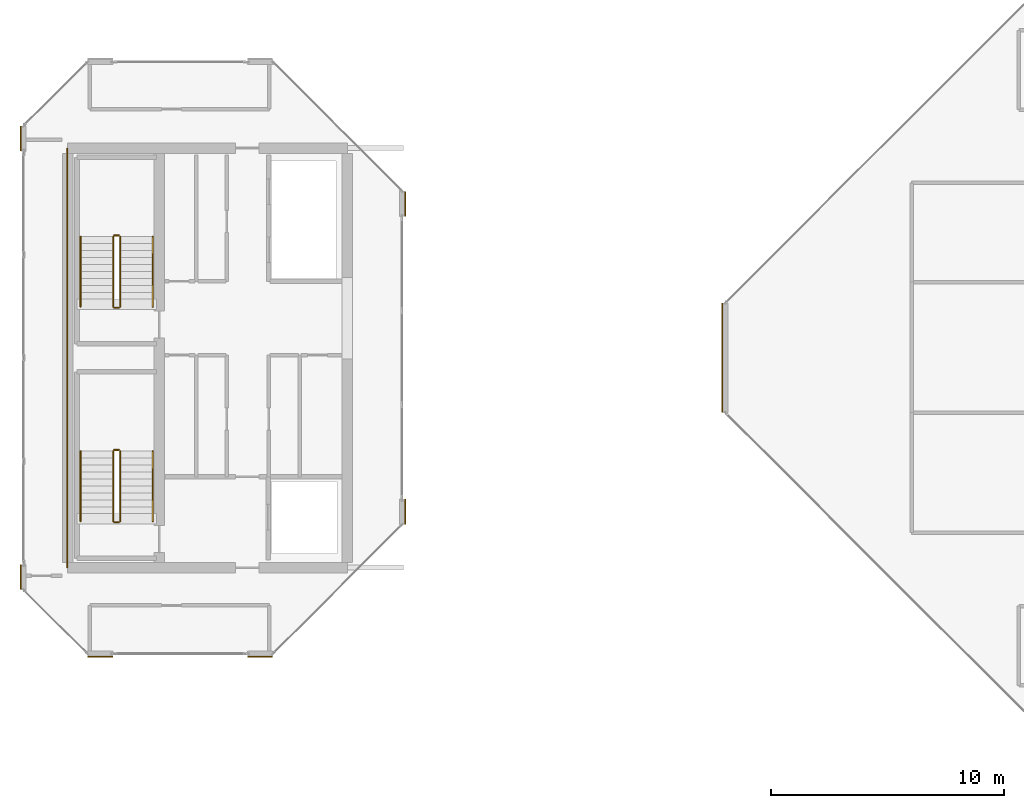
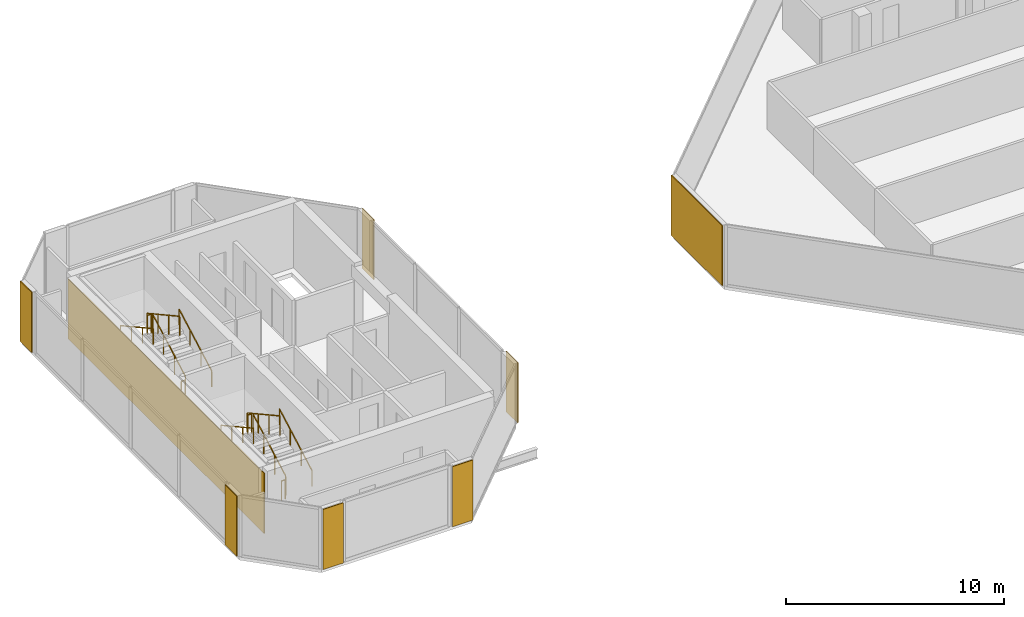
# One storey, part 28 of 30: 12 railings, 8 coverings.
"""IFC4 building model written with IfcOpenShell, lengths in metres."""

from ifc_helpers import new_model, si_unit, direction, frame, origin, origin_2d, place, context, subcontext, project, spatial, rectangle, extrude, material, layer, layer_set, type_object, element, save


model = new_model("IFC4")

# Units and contexts
model_context = context("Model", 3, precision=1e-05, world=origin(), true_north=direction((0.0, 1.0)))
body_context = subcontext(model_context, "Body", "Model", "MODEL_VIEW")
ifc_project = project(units=[si_unit("LENGTHUNIT", "METRE"), si_unit("AREAUNIT", "SQUARE_METRE"), si_unit("VOLUMEUNIT", "CUBIC_METRE"), si_unit("PLANEANGLEUNIT", "RADIAN"), si_unit("MASSUNIT", "GRAM", prefix="KILO")], contexts=[model_context])

# Site, building, storey
site_placement = place(None, origin())
site = spatial("IfcSite", under=ifc_project, at=site_placement, CompositionType="ELEMENT")
building_placement = place(site_placement, origin())
building = spatial("IfcBuilding", under=site, at=building_placement, Name="Tanjung Sevakor Pilgrim Tower", CompositionType="ELEMENT")
storey_placement = place(building_placement, frame((0.0, 0.0, 253.43994140625)))
storey = spatial("IfcBuildingStorey", under=building, at=storey_placement, Name="L71", CompositionType="ELEMENT", Elevation=253.43994140625)

# Coverings
ifc_material_1 = material(Name="Reconstructed Limestone Cladding", Category="masonry")
ifc_layer = layer(ifc_material_1, 0.044921875)
ifc_layer_set = layer_set([ifc_layer], Name="COV-CLAD-LIMESTONE")
covering_type = type_object("IfcCoveringType", Name="COV-CLAD-LIMESTONE", PredefinedType="CLADDING", material=ifc_layer_set)
for number, where, z_axis, x_axis, name in (
    (1, (25.3955078125, 20.777587890625, 0.02001953125), (0.0, 0.0, 1.0), (1.0, 0.0, 0.0), "L71 Warm Limestone Wall Cladding EW-CRN1-L71-WEST-0-1"),
    (2, (32.25439453125, 20.777587890625, 0.02001953125), (0.0, 0.0, 1.0), (1.0, 0.0, 0.0), "L71 Warm Limestone Wall Cladding EW-CRN2-L71-WEST-0-1"),
    (3, (38.472412109375, 26.99560546875, 0.02001953125), (0.0, 0.0, 1.0), (0.0, 1.0, 0.0), "L71 Warm Limestone Wall Cladding EW-CRN1-L71-WEST-2-1"),
    (4, (38.472412109375, 40.204345703125, 0.02001953125), (0.0, 0.0, 1.0), (0.0, 1.0, 0.0), "L71 Warm Limestone Wall Cladding EW-CRN2-L71-WEST-2-1"),
    (5, (21.9775390625, 43.00439453125, 0.02001953125), (0.0, 0.0, 1.0), (0.0, -1.0, 0.0), "L71 Warm Limestone Wall Cladding EW-CRN1-L71-WEST-6-1"),
    (6, (21.9775390625, 24.195556640625, 0.02001953125), (0.0, 0.0, 1.0), (0.0, -1.0, 0.0), "L71 Warm Limestone Wall Cladding EW-CRN2-L71-WEST-6-1"),
):
    element("IfcCovering", number, at=place(storey_placement, frame(where, z_axis=z_axis, x_axis=x_axis)), inside=storey, type_object=covering_type, Name=name, PredefinedType="CLADDING", context=body_context, shape_type="SweptSolid", body=[
        extrude(rectangle(XDim=1.06005859375, YDim=0.044921875, at=origin_2d()), origin(), (0.0, 0.0, 1.0), 3.3701171875),
    ])
covering_1_placement = place(storey_placement, frame((52.077392578125, 33.60009765625, 0.02001953125), z_axis=(0.0, 0.0, 1.0), x_axis=(0.0, -1.0, 0.0)))
element("IfcCovering", 7, at=covering_1_placement, inside=storey, type_object=covering_type, Name="L71 Warm Limestone Wall Cladding EW-L71-EAST-7", PredefinedType="CLADDING", context=body_context, shape_type="SweptSolid", body=[
    extrude(rectangle(XDim=4.668701171875, YDim=0.044921875, at=origin_2d()), origin(), (0.0, 0.0, 1.0), 3.3701171875),
])
covering_2_placement = place(storey_placement, frame((23.9775390625, 33.60009765625, 0.02001953125), z_axis=(0.0, 0.0, 1.0), x_axis=(1.0, 0.0, 0.0)))
element("IfcCovering", 8, at=covering_2_placement, inside=storey, type_object=covering_type, Name="L71 Expressed Core Warm Limestone Cladding W", PredefinedType="CLADDING", context=body_context, shape_type="SweptSolid", body=[
    extrude(rectangle(XDim=0.044921875, YDim=18.0, at=origin_2d()), origin(), (0.0, 0.0, 1.0), 3.3701171875),
])

# Railings
ifc_material_2 = material(Name="Steel S355J2", Category="steel")
railing_type_1 = type_object("IfcRailingType", Name="RL-STAIR-GUARD", PredefinedType="GUARDRAIL", material=ifc_material_2)
railing_1_placement = place(storey_placement, frame((26.25, 26.60009765625, 0.1650390625)))
element("IfcRailing", 9, at=railing_1_placement, inside=storey, type_object=railing_type_1, Name="L71 TS-W1 stair guard 1", PredefinedType="GUARDRAIL", context=body_context, shape_type="SweptSolid", body=[
    extrude(rectangle(XDim=0.0479, YDim=0.0479), frame((0.0, 0.0, 1.076171875), z_axis=(0.0, 0.876227952683, 0.48189685093), x_axis=(-1.0, 0.0, 0.0)), (0.0, 0.0, 1.0), 3.423828125),
    extrude(rectangle(XDim=0.042, YDim=0.042), origin(), (0.0, 0.0, 1.0), 1.052001953125),
    extrude(rectangle(XDim=0.042, YDim=0.042), frame((0.0, 1.0, 0.550048828125)), (0.0, 0.0, 1.0), 1.052001953125),
    extrude(rectangle(XDim=0.042, YDim=0.042), frame((0.0, 2.0, 1.099853515625)), (0.0, 0.0, 1.0), 1.052001953125),
    extrude(rectangle(XDim=0.042, YDim=0.042), frame((0.0, 3.0, 1.64990234375)), (0.0, 0.0, 1.0), 1.052001953125),
])
railing_2_placement = place(storey_placement, frame((26.199951171875, 29.64990234375, 1.81494140625)))
element("IfcRailing", 10, at=railing_2_placement, inside=storey, type_object=railing_type_1, Name="L71 TS-W1 stair guard 2", PredefinedType="GUARDRAIL", context=body_context, shape_type="SweptSolid", body=[
    extrude(rectangle(XDim=0.0479, YDim=0.0479), frame((0.0, 0.0, 1.076171875), z_axis=(-1.0, 0.0, 0.0), x_axis=(0.0, -1.0, 0.0)), (0.0, 0.0, 1.0), 0.199951171875),
    extrude(rectangle(XDim=0.042, YDim=0.042), origin(), (0.0, 0.0, 1.0), 1.052001953125),
    extrude(rectangle(XDim=0.042, YDim=0.042), frame((-0.199951171875, 0.0, 0.0)), (0.0, 0.0, 1.0), 1.052001953125),
])
railing_3_placement = place(storey_placement, frame((25.949951171875, 29.60009765625, 1.97998046875)))
element("IfcRailing", 11, at=railing_3_placement, inside=storey, type_object=railing_type_1, Name="L71 TS-W1 stair guard 3", PredefinedType="GUARDRAIL", context=body_context, shape_type="SweptSolid", body=[
    extrude(rectangle(XDim=0.0479, YDim=0.0479), frame((0.0, 0.0, 1.076171875), z_axis=(0.0, -0.876197842262, 0.481951596342), x_axis=(1.0, 0.0, 0.0)), (0.0, 0.0, 1.0), 3.423828125),
    extrude(rectangle(XDim=0.042, YDim=0.042), origin(), (0.0, 0.0, 1.0), 1.052001953125),
    extrude(rectangle(XDim=0.042, YDim=0.042), frame((0.0, -1.0, 0.550048828125)), (0.0, 0.0, 1.0), 1.052001953125),
    extrude(rectangle(XDim=0.042, YDim=0.042), frame((0.0, -2.0, 1.10009765625)), (0.0, 0.0, 1.0), 1.052001953125),
    extrude(rectangle(XDim=0.042, YDim=0.042), frame((0.0, -3.0, 1.650146484375)), (0.0, 0.0, 1.0), 1.052001953125),
])
railing_4_placement = place(storey_placement, frame((26.199951171875, 26.550048828125, 0.0)))
element("IfcRailing", 12, at=railing_4_placement, inside=storey, type_object=railing_type_1, Name="L71 TS-W1 stair guard 4", PredefinedType="GUARDRAIL", context=body_context, shape_type="SweptSolid", body=[
    extrude(rectangle(XDim=0.0479, YDim=0.0479), frame((0.0, 0.0, 1.076171875), z_axis=(-1.0, 0.0, 0.0), x_axis=(0.0, -1.0, 0.0)), (0.0, 0.0, 1.0), 0.199951171875),
    extrude(rectangle(XDim=0.042, YDim=0.042), origin(), (0.0, 0.0, 1.0), 1.052001953125),
    extrude(rectangle(XDim=0.042, YDim=0.042), frame((-0.199951171875, 0.0, 0.0)), (0.0, 0.0, 1.0), 1.052001953125),
])
railing_5_placement = place(storey_placement, frame((26.25, 35.800048828125, 0.1650390625)))
element("IfcRailing", 13, at=railing_5_placement, inside=storey, type_object=railing_type_1, Name="L71 TS-W2 stair guard 1", PredefinedType="GUARDRAIL", context=body_context, shape_type="SweptSolid", body=[
    extrude(rectangle(XDim=0.0479, YDim=0.0479), frame((0.0, 0.0, 1.076171875), z_axis=(0.0, 0.876227952683, 0.48189685093), x_axis=(-1.0, 0.0, 0.0)), (0.0, 0.0, 1.0), 3.423828125),
    extrude(rectangle(XDim=0.042, YDim=0.042), origin(), (0.0, 0.0, 1.0), 1.052001953125),
    extrude(rectangle(XDim=0.042, YDim=0.042), frame((0.0, 1.0, 0.550048828125)), (0.0, 0.0, 1.0), 1.052001953125),
    extrude(rectangle(XDim=0.042, YDim=0.042), frame((0.0, 2.0, 1.099853515625)), (0.0, 0.0, 1.0), 1.052001953125),
    extrude(rectangle(XDim=0.042, YDim=0.042), frame((0.0, 3.0, 1.64990234375)), (0.0, 0.0, 1.0), 1.052001953125),
])
railing_6_placement = place(storey_placement, frame((26.199951171875, 38.85009765625, 1.81494140625)))
element("IfcRailing", 14, at=railing_6_placement, inside=storey, type_object=railing_type_1, Name="L71 TS-W2 stair guard 2", PredefinedType="GUARDRAIL", context=body_context, shape_type="SweptSolid", body=[
    extrude(rectangle(XDim=0.0479, YDim=0.0479), frame((0.0, 0.0, 1.076171875), z_axis=(-1.0, 0.0, 0.0), x_axis=(0.0, -1.0, 0.0)), (0.0, 0.0, 1.0), 0.199951171875),
    extrude(rectangle(XDim=0.042, YDim=0.042), origin(), (0.0, 0.0, 1.0), 1.052001953125),
    extrude(rectangle(XDim=0.042, YDim=0.042), frame((-0.199951171875, 0.0, 0.0)), (0.0, 0.0, 1.0), 1.052001953125),
])
railing_7_placement = place(storey_placement, frame((25.949951171875, 38.800048828125, 1.97998046875)))
element("IfcRailing", 15, at=railing_7_placement, inside=storey, type_object=railing_type_1, Name="L71 TS-W2 stair guard 3", PredefinedType="GUARDRAIL", context=body_context, shape_type="SweptSolid", body=[
    extrude(rectangle(XDim=0.0479, YDim=0.0479), frame((0.0, 0.0, 1.076171875), z_axis=(0.0, -0.876197842262, 0.481951596342), x_axis=(1.0, 0.0, 0.0)), (0.0, 0.0, 1.0), 3.423828125),
    extrude(rectangle(XDim=0.042, YDim=0.042), origin(), (0.0, 0.0, 1.0), 1.052001953125),
    extrude(rectangle(XDim=0.042, YDim=0.042), frame((0.0, -1.0, 0.550048828125)), (0.0, 0.0, 1.0), 1.052001953125),
    extrude(rectangle(XDim=0.042, YDim=0.042), frame((0.0, -2.0, 1.10009765625)), (0.0, 0.0, 1.0), 1.052001953125),
    extrude(rectangle(XDim=0.042, YDim=0.042), frame((0.0, -3.0, 1.650146484375)), (0.0, 0.0, 1.0), 1.052001953125),
])
railing_8_placement = place(storey_placement, frame((26.199951171875, 35.75, 0.0)))
element("IfcRailing", 16, at=railing_8_placement, inside=storey, type_object=railing_type_1, Name="L71 TS-W2 stair guard 4", PredefinedType="GUARDRAIL", context=body_context, shape_type="SweptSolid", body=[
    extrude(rectangle(XDim=0.0479, YDim=0.0479), frame((0.0, 0.0, 1.076171875), z_axis=(-1.0, 0.0, 0.0), x_axis=(0.0, -1.0, 0.0)), (0.0, 0.0, 1.0), 0.199951171875),
    extrude(rectangle(XDim=0.042, YDim=0.042), origin(), (0.0, 0.0, 1.0), 1.052001953125),
    extrude(rectangle(XDim=0.042, YDim=0.042), frame((-0.199951171875, 0.0, 0.0)), (0.0, 0.0, 1.0), 1.052001953125),
])
ifc_material_3 = material(Name="Steel S355J2", Category="steel")
railing_type_2 = type_object("IfcRailingType", Name="RL-STAIR-HAND", PredefinedType="HANDRAIL", material=ifc_material_3)
railing_9_placement = place(storey_placement, frame((27.64990234375, 26.60009765625, 0.1650390625)))
element("IfcRailing", 17, at=railing_9_placement, inside=storey, type_object=railing_type_2, Name="L71 TS-W1 stair handrail 1", PredefinedType="HANDRAIL", context=body_context, shape_type="SweptSolid", body=[
    extrude(rectangle(XDim=0.0479, YDim=0.0479), frame((0.0, 0.0, 0.8759765625), z_axis=(0.0, 0.876227952683, 0.48189685093), x_axis=(-1.0, 0.0, 0.0)), (0.0, 0.0, 1.0), 3.423828125),
    extrude(rectangle(XDim=0.042, YDim=0.042), origin(), (0.0, 0.0, 1.0), 0.851806640625),
    extrude(rectangle(XDim=0.042, YDim=0.042), frame((0.0, 1.0, 0.550048828125)), (0.0, 0.0, 1.0), 0.851806640625),
    extrude(rectangle(XDim=0.042, YDim=0.042), frame((0.0, 2.0, 1.099853515625)), (0.0, 0.0, 1.0), 0.851806640625),
    extrude(rectangle(XDim=0.042, YDim=0.042), frame((0.0, 3.0, 1.64990234375)), (0.0, 0.0, 1.0), 0.851806640625),
])
railing_10_placement = place(storey_placement, frame((24.550048828125, 29.60009765625, 1.97998046875)))
element("IfcRailing", 18, at=railing_10_placement, inside=storey, type_object=railing_type_2, Name="L71 TS-W1 stair handrail 2", PredefinedType="HANDRAIL", context=body_context, shape_type="SweptSolid", body=[
    extrude(rectangle(XDim=0.0479, YDim=0.0479), frame((0.0, 0.0, 0.8759765625), z_axis=(0.0, -0.876197842262, 0.481951596342), x_axis=(1.0, 0.0, 0.0)), (0.0, 0.0, 1.0), 3.423828125),
    extrude(rectangle(XDim=0.042, YDim=0.042), origin(), (0.0, 0.0, 1.0), 0.851806640625),
    extrude(rectangle(XDim=0.042, YDim=0.042), frame((0.0, -1.0, 0.550048828125)), (0.0, 0.0, 1.0), 0.851806640625),
    extrude(rectangle(XDim=0.042, YDim=0.042), frame((0.0, -2.0, 1.10009765625)), (0.0, 0.0, 1.0), 0.851806640625),
    extrude(rectangle(XDim=0.042, YDim=0.042), frame((0.0, -3.0, 1.650146484375)), (0.0, 0.0, 1.0), 0.851806640625),
])
railing_11_placement = place(storey_placement, frame((27.64990234375, 35.800048828125, 0.1650390625)))
element("IfcRailing", 19, at=railing_11_placement, inside=storey, type_object=railing_type_2, Name="L71 TS-W2 stair handrail 1", PredefinedType="HANDRAIL", context=body_context, shape_type="SweptSolid", body=[
    extrude(rectangle(XDim=0.0479, YDim=0.0479), frame((0.0, 0.0, 0.8759765625), z_axis=(0.0, 0.876227952683, 0.48189685093), x_axis=(-1.0, 0.0, 0.0)), (0.0, 0.0, 1.0), 3.423828125),
    extrude(rectangle(XDim=0.042, YDim=0.042), origin(), (0.0, 0.0, 1.0), 0.851806640625),
    extrude(rectangle(XDim=0.042, YDim=0.042), frame((0.0, 1.0, 0.550048828125)), (0.0, 0.0, 1.0), 0.851806640625),
    extrude(rectangle(XDim=0.042, YDim=0.042), frame((0.0, 2.0, 1.099853515625)), (0.0, 0.0, 1.0), 0.851806640625),
    extrude(rectangle(XDim=0.042, YDim=0.042), frame((0.0, 3.0, 1.64990234375)), (0.0, 0.0, 1.0), 0.851806640625),
])
railing_12_placement = place(storey_placement, frame((24.550048828125, 38.800048828125, 1.97998046875)))
element("IfcRailing", 20, at=railing_12_placement, inside=storey, type_object=railing_type_2, Name="L71 TS-W2 stair handrail 2", PredefinedType="HANDRAIL", context=body_context, shape_type="SweptSolid", body=[
    extrude(rectangle(XDim=0.0479, YDim=0.0479), frame((0.0, 0.0, 0.8759765625), z_axis=(0.0, -0.876197842262, 0.481951596342), x_axis=(1.0, 0.0, 0.0)), (0.0, 0.0, 1.0), 3.423828125),
    extrude(rectangle(XDim=0.042, YDim=0.042), origin(), (0.0, 0.0, 1.0), 0.851806640625),
    extrude(rectangle(XDim=0.042, YDim=0.042), frame((0.0, -1.0, 0.550048828125)), (0.0, 0.0, 1.0), 0.851806640625),
    extrude(rectangle(XDim=0.042, YDim=0.042), frame((0.0, -2.0, 1.10009765625)), (0.0, 0.0, 1.0), 0.851806640625),
    extrude(rectangle(XDim=0.042, YDim=0.042), frame((0.0, -3.0, 1.650146484375)), (0.0, 0.0, 1.0), 0.851806640625),
])

save(model, "model.ifc")
